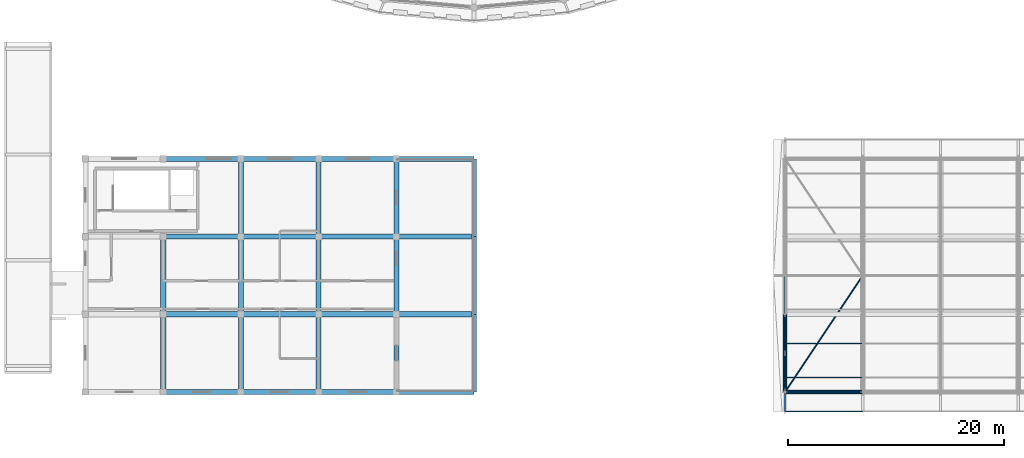
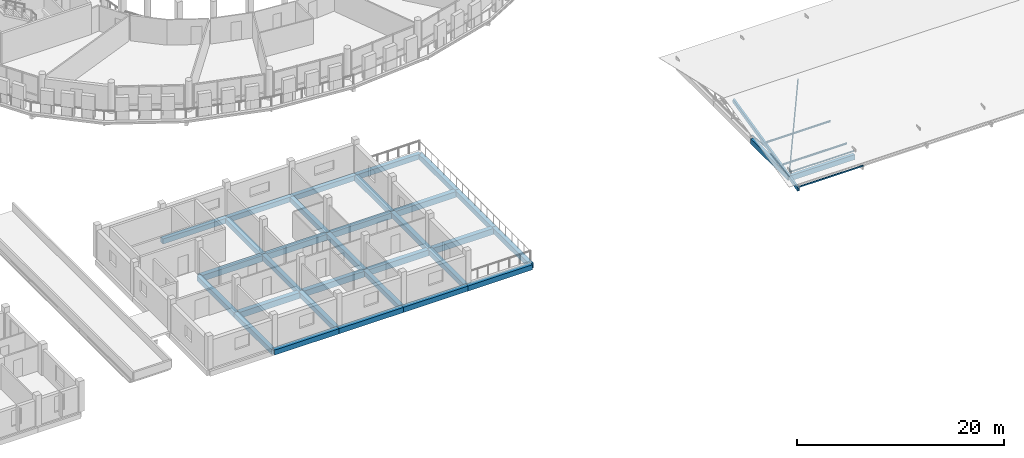
# One storey, part 16 of 93: 32 beams, 8 members.
"""IFC4 building model written with IfcOpenShell, lengths in metres."""

from ifc_helpers import new_model, si_unit, direction, frame, origin, origin_2d, place, context, subcontext, project, spatial, rectangle, hollow_rectangle, hollow_circle, i_section, extrude, material, material_profile, profile_set, type_object, element, save


model = new_model("IFC4")

# Units and contexts
model_context = context("Model", 3, precision=1e-05, world=origin(), true_north=direction((0.0, 1.0)))
body_context = subcontext(model_context, "Body", "Model", "MODEL_VIEW")
ifc_project = project(units=[si_unit("LENGTHUNIT", "METRE"), si_unit("AREAUNIT", "SQUARE_METRE"), si_unit("VOLUMEUNIT", "CUBIC_METRE"), si_unit("PLANEANGLEUNIT", "RADIAN"), si_unit("MASSUNIT", "GRAM", prefix="KILO")], contexts=[model_context])

# Site, building, storey
site_placement = place(None, origin())
site = spatial("IfcSite", under=ifc_project, at=site_placement, CompositionType="ELEMENT")
building_placement = place(site_placement, origin())
building = spatial("IfcBuilding", under=site, at=building_placement, Name="Zornivar Specialist Clinic", CompositionType="ELEMENT")
storey_placement = place(building_placement, frame((0.0, 0.0, 8.39990234375)))
storey = spatial("IfcBuildingStorey", under=building, at=storey_placement, Name="L02", CompositionType="ELEMENT", Elevation=8.39990234375)

# Beams
ifc_material_1 = material(Name="Concrete C30/37", Category="concrete")
ifc_material_profile_1 = material_profile(ifc_material_1, rectangle(XDim=0.47998046875, YDim=0.60009765625, at=origin_2d()), Name="RC 480x600")
ifc_profile_set_1 = profile_set([ifc_material_profile_1], Name="Concrete C30/37")
beam_type_1 = type_object("IfcBeamType", Name="BM-RC-480x600", PredefinedType="BEAM", material=ifc_profile_set_1)
for number, where, z_axis, x_axis, name in (
    (1, (64.800048828125, 0.0, -0.64990234375), (0.0, 1.0, 0.0), (-1.0, 0.0, 0.0), "bm:V3:L02:y:648:0"),
    (2, (64.800048828125, 7.199951171875, -0.64990234375), (0.0, 1.0, 0.0), (-1.0, 0.0, 0.0), "bm:V3:L02:y:648:1"),
    (3, (72.0, 0.0, -0.64990234375), (0.0, 1.0, 0.0), (-1.0, 0.0, 0.0), "bm:V3:L02:y:720:0"),
    (4, (72.0, 7.199951171875, -0.64990234375), (0.0, 1.0, 0.0), (-1.0, 0.0, 0.0), "bm:V3:L02:y:720:1"),
):
    element("IfcBeam", number, at=place(storey_placement, frame(where, z_axis=z_axis, x_axis=x_axis)), inside=storey, type_object=beam_type_1, Name=name, PredefinedType="BEAM", context=body_context, shape_type="SweptSolid", body=[
        extrude(rectangle(XDim=0.47998046875, YDim=0.60009765625, at=origin_2d()), origin(), (0.0, 0.0, 1.0), 7.199951171875),
    ])
beam_1_placement = place(storey_placement, frame((72.0, 14.39990234375, -0.64990234375), z_axis=(0.0, 1.0, 0.0), x_axis=(-1.0, 0.0, 0.0)))
element("IfcBeam", 5, at=beam_1_placement, inside=storey, type_object=beam_type_1, Name="bm:V3:L02:y:720:2", PredefinedType="BEAM", context=body_context, shape_type="SweptSolid", body=[
    extrude(rectangle(XDim=0.47998046875, YDim=0.60009765625, at=origin_2d()), origin(), (0.0, 0.0, 1.0), 7.2001953125),
])
for number, where, z_axis, x_axis, name in (
    (6, (79.199951171875, 0.0, -0.64990234375), (0.0, 1.0, 0.0), (-1.0, 0.0, 0.0), "bm:V3:L02:y:792:0"),
    (7, (79.199951171875, 7.199951171875, -0.64990234375), (0.0, 1.0, 0.0), (-1.0, 0.0, 0.0), "bm:V3:L02:y:792:1"),
):
    element("IfcBeam", number, at=place(storey_placement, frame(where, z_axis=z_axis, x_axis=x_axis)), inside=storey, type_object=beam_type_1, Name=name, PredefinedType="BEAM", context=body_context, shape_type="SweptSolid", body=[
        extrude(rectangle(XDim=0.47998046875, YDim=0.60009765625, at=origin_2d()), origin(), (0.0, 0.0, 1.0), 7.199951171875),
    ])
beam_2_placement = place(storey_placement, frame((79.199951171875, 14.39990234375, -0.64990234375), z_axis=(0.0, 1.0, 0.0), x_axis=(-1.0, 0.0, 0.0)))
element("IfcBeam", 8, at=beam_2_placement, inside=storey, type_object=beam_type_1, Name="bm:V3:L02:y:792:2", PredefinedType="BEAM", context=body_context, shape_type="SweptSolid", body=[
    extrude(rectangle(XDim=0.47998046875, YDim=0.60009765625, at=origin_2d()), origin(), (0.0, 0.0, 1.0), 7.2001953125),
])
for number, where, z_axis, x_axis, name in (
    (9, (86.39990234375, 0.0, -0.64990234375), (0.0, 1.0, 0.0), (-1.0, 0.0, 0.0), "bm:V3:L02:y:864:0"),
    (10, (86.39990234375, 7.199951171875, -0.64990234375), (0.0, 1.0, 0.0), (-1.0, 0.0, 0.0), "bm:V3:L02:y:864:1"),
):
    element("IfcBeam", number, at=place(storey_placement, frame(where, z_axis=z_axis, x_axis=x_axis)), inside=storey, type_object=beam_type_1, Name=name, PredefinedType="BEAM", context=body_context, shape_type="SweptSolid", body=[
        extrude(rectangle(XDim=0.47998046875, YDim=0.60009765625, at=origin_2d()), origin(), (0.0, 0.0, 1.0), 7.199951171875),
    ])
beam_3_placement = place(storey_placement, frame((86.39990234375, 14.39990234375, -0.64990234375), z_axis=(0.0, 1.0, 0.0), x_axis=(-1.0, 0.0, 0.0)))
element("IfcBeam", 11, at=beam_3_placement, inside=storey, type_object=beam_type_1, Name="bm:V3:L02:y:864:2", PredefinedType="BEAM", context=body_context, shape_type="SweptSolid", body=[
    extrude(rectangle(XDim=0.47998046875, YDim=0.60009765625, at=origin_2d()), origin(), (0.0, 0.0, 1.0), 7.2001953125),
])
ifc_material_2 = material(Name="Concrete C30/37", Category="concrete")
ifc_material_profile_2 = material_profile(ifc_material_2, rectangle(XDim=0.5, YDim=0.699951171875, at=origin_2d()), Name="RC 500x700")
ifc_profile_set_2 = profile_set([ifc_material_profile_2], Name="Concrete C30/37")
beam_type_2 = type_object("IfcBeamType", Name="BM-RC-500x700", PredefinedType="BEAM", material=ifc_profile_set_2)
for number, where, z_axis, x_axis, name in (
    (12, (64.800048828125, 7.199951171875, -0.699951171875), (1.0, 0.0, 0.0), (0.0, 1.0, 0.0), "bm:V3:L02:x:72:1"),
    (13, (72.0, 7.199951171875, -0.699951171875), (1.0, 0.0, 0.0), (0.0, 1.0, 0.0), "bm:V3:L02:x:72:2"),
    (14, (79.199951171875, 7.199951171875, -0.699951171875), (1.0, 0.0, 0.0), (0.0, 1.0, 0.0), "bm:V3:L02:x:72:3"),
):
    element("IfcBeam", number, at=place(storey_placement, frame(where, z_axis=z_axis, x_axis=x_axis)), inside=storey, type_object=beam_type_2, Name=name, PredefinedType="BEAM", context=body_context, shape_type="SweptSolid", body=[
        extrude(rectangle(XDim=0.5, YDim=0.699951171875, at=origin_2d()), origin(), (0.0, 0.0, 1.0), 7.199951171875),
    ])
beam_4_placement = place(storey_placement, frame((86.39990234375, 7.199951171875, -0.699951171875), z_axis=(1.0, 0.0, 0.0), x_axis=(0.0, 1.0, 0.0)))
element("IfcBeam", 15, at=beam_4_placement, inside=storey, type_object=beam_type_2, Name="bm:V3:L02:x:72:4", PredefinedType="BEAM", context=body_context, shape_type="SweptSolid", body=[
    extrude(rectangle(XDim=0.5, YDim=0.699951171875, at=origin_2d()), origin(), (0.0, 0.0, 1.0), 7.2001953125),
])
for number, where, z_axis, x_axis, name in (
    (16, (64.800048828125, 14.39990234375, -0.699951171875), (1.0, 0.0, 0.0), (0.0, 1.0, 0.0), "bm:V3:L02:x:144:1"),
    (17, (72.0, 14.39990234375, -0.699951171875), (1.0, 0.0, 0.0), (0.0, 1.0, 0.0), "bm:V3:L02:x:144:2"),
    (18, (79.199951171875, 14.39990234375, -0.699951171875), (1.0, 0.0, 0.0), (0.0, 1.0, 0.0), "bm:V3:L02:x:144:3"),
):
    element("IfcBeam", number, at=place(storey_placement, frame(where, z_axis=z_axis, x_axis=x_axis)), inside=storey, type_object=beam_type_2, Name=name, PredefinedType="BEAM", context=body_context, shape_type="SweptSolid", body=[
        extrude(rectangle(XDim=0.5, YDim=0.699951171875, at=origin_2d()), origin(), (0.0, 0.0, 1.0), 7.199951171875),
    ])
beam_5_placement = place(storey_placement, frame((86.39990234375, 14.39990234375, -0.699951171875), z_axis=(1.0, 0.0, 0.0), x_axis=(0.0, 1.0, 0.0)))
element("IfcBeam", 19, at=beam_5_placement, inside=storey, type_object=beam_type_2, Name="bm:V3:L02:x:144:4", PredefinedType="BEAM", context=body_context, shape_type="SweptSolid", body=[
    extrude(rectangle(XDim=0.5, YDim=0.699951171875, at=origin_2d()), origin(), (0.0, 0.0, 1.0), 7.2001953125),
])
ifc_material_3 = material(Name="Concrete C30/37", Category="concrete")
ifc_material_profile_3 = material_profile(ifc_material_3, rectangle(XDim=0.35009765625, YDim=0.60009765625, at=origin_2d()), Name="RC 350x600")
ifc_profile_set_3 = profile_set([ifc_material_profile_3], Name="Concrete C30/37")
beam_type_3 = type_object("IfcBeamType", Name="BM-RC-SPANDREL-350x600", PredefinedType="SPANDREL", material=ifc_profile_set_3)
beam_6_placement = place(storey_placement, frame((122.39990234375, 0.0, -0.2998046875), z_axis=(1.0, 0.0, 0.0), x_axis=(0.0, 1.0, 0.0)))
element("IfcBeam", 20, at=beam_6_placement, inside=storey, type_object=beam_type_3, Name="bm:V4:L02:x:0:0", PredefinedType="SPANDREL", context=body_context, shape_type="SweptSolid", body=[
    extrude(rectangle(XDim=0.35009765625, YDim=0.60009765625, at=origin_2d()), origin(), (0.0, 0.0, 1.0), 7.2001953125),
])
beam_7_placement = place(storey_placement, frame((122.39990234375, 0.0, -0.2998046875), z_axis=(0.0, 1.0, 0.0), x_axis=(-1.0, 0.0, 0.0)))
element("IfcBeam", 21, at=beam_7_placement, inside=storey, type_object=beam_type_3, Name="bm:V4:L02:y:1224:0", PredefinedType="SPANDREL", context=body_context, shape_type="SweptSolid", body=[
    extrude(rectangle(XDim=0.35009765625, YDim=0.60009765625, at=origin_2d()), origin(), (0.0, 0.0, 1.0), 7.199951171875),
])
ifc_material_4 = material(Name="Concrete C30/37", Category="concrete")
ifc_material_profile_4 = material_profile(ifc_material_4, rectangle(XDim=0.4599609375, YDim=0.60009765625, at=origin_2d()), Name="RC 460x600")
ifc_profile_set_4 = profile_set([ifc_material_profile_4], Name="Concrete C30/37")
beam_type_4 = type_object("IfcBeamType", Name="BM-RC-SPANDREL-460x600", PredefinedType="SPANDREL", material=ifc_profile_set_4)
for number, where, z_axis, x_axis, name in (
    (22, (64.800048828125, 0.0, -0.64990234375), (1.0, 0.0, 0.0), (0.0, 1.0, 0.0), "bm:V3:L02:x:0:1"),
    (23, (72.0, 0.0, -0.64990234375), (1.0, 0.0, 0.0), (0.0, 1.0, 0.0), "bm:V3:L02:x:0:2"),
    (24, (79.199951171875, 0.0, -0.64990234375), (1.0, 0.0, 0.0), (0.0, 1.0, 0.0), "bm:V3:L02:x:0:3"),
):
    element("IfcBeam", number, at=place(storey_placement, frame(where, z_axis=z_axis, x_axis=x_axis)), inside=storey, type_object=beam_type_4, Name=name, PredefinedType="SPANDREL", context=body_context, shape_type="SweptSolid", body=[
        extrude(rectangle(XDim=0.4599609375, YDim=0.60009765625, at=origin_2d()), origin(), (0.0, 0.0, 1.0), 7.199951171875),
    ])
beam_8_placement = place(storey_placement, frame((86.39990234375, 0.0, -0.64990234375), z_axis=(1.0, 0.0, 0.0), x_axis=(0.0, 1.0, 0.0)))
element("IfcBeam", 25, at=beam_8_placement, inside=storey, type_object=beam_type_4, Name="bm:V3:L02:x:0:4", PredefinedType="SPANDREL", context=body_context, shape_type="SweptSolid", body=[
    extrude(rectangle(XDim=0.4599609375, YDim=0.60009765625, at=origin_2d()), origin(), (0.0, 0.0, 1.0), 7.2001953125),
])
for number, where, z_axis, x_axis, name in (
    (26, (64.800048828125, 21.60009765625, -0.64990234375), (1.0, 0.0, 0.0), (0.0, 1.0, 0.0), "bm:V3:L02:x:216:1"),
    (27, (72.0, 21.60009765625, -0.64990234375), (1.0, 0.0, 0.0), (0.0, 1.0, 0.0), "bm:V3:L02:x:216:2"),
    (28, (79.199951171875, 21.60009765625, -0.64990234375), (1.0, 0.0, 0.0), (0.0, 1.0, 0.0), "bm:V3:L02:x:216:3"),
):
    element("IfcBeam", number, at=place(storey_placement, frame(where, z_axis=z_axis, x_axis=x_axis)), inside=storey, type_object=beam_type_4, Name=name, PredefinedType="SPANDREL", context=body_context, shape_type="SweptSolid", body=[
        extrude(rectangle(XDim=0.4599609375, YDim=0.60009765625, at=origin_2d()), origin(), (0.0, 0.0, 1.0), 7.199951171875),
    ])
beam_9_placement = place(storey_placement, frame((86.39990234375, 21.60009765625, -0.64990234375), z_axis=(1.0, 0.0, 0.0), x_axis=(0.0, 1.0, 0.0)))
element("IfcBeam", 29, at=beam_9_placement, inside=storey, type_object=beam_type_4, Name="bm:V3:L02:x:216:4", PredefinedType="SPANDREL", context=body_context, shape_type="SweptSolid", body=[
    extrude(rectangle(XDim=0.4599609375, YDim=0.60009765625, at=origin_2d()), origin(), (0.0, 0.0, 1.0), 7.2001953125),
])
for number, where, z_axis, x_axis, name in (
    (30, (93.60009765625, 0.0, -0.64990234375), (0.0, 1.0, 0.0), (-1.0, 0.0, 0.0), "bm:V3:L02:y:936:0"),
    (31, (93.60009765625, 7.199951171875, -0.64990234375), (0.0, 1.0, 0.0), (-1.0, 0.0, 0.0), "bm:V3:L02:y:936:1"),
):
    element("IfcBeam", number, at=place(storey_placement, frame(where, z_axis=z_axis, x_axis=x_axis)), inside=storey, type_object=beam_type_4, Name=name, PredefinedType="SPANDREL", context=body_context, shape_type="SweptSolid", body=[
        extrude(rectangle(XDim=0.4599609375, YDim=0.60009765625, at=origin_2d()), origin(), (0.0, 0.0, 1.0), 7.199951171875),
    ])
beam_10_placement = place(storey_placement, frame((93.60009765625, 14.39990234375, -0.64990234375), z_axis=(0.0, 1.0, 0.0), x_axis=(-1.0, 0.0, 0.0)))
element("IfcBeam", 32, at=beam_10_placement, inside=storey, type_object=beam_type_4, Name="bm:V3:L02:y:936:2", PredefinedType="SPANDREL", context=body_context, shape_type="SweptSolid", body=[
    extrude(rectangle(XDim=0.4599609375, YDim=0.60009765625, at=origin_2d()), origin(), (0.0, 0.0, 1.0), 7.2001953125),
])

# Members
ifc_material_5 = material(Name="Steel S355J2", Category="steel")
ifc_material_profile_5 = material_profile(ifc_material_5, hollow_circle(Radius=0.06982421875, WallThickness=0.008056640625, at=origin_2d()), Name="CHS 139.7x8")
ifc_profile_set_5 = profile_set([ifc_material_profile_5], Name="Steel S355J2")
member_type_1 = type_object("IfcMemberType", Name="MEM-DIAG-CHS140", PredefinedType="BRACE", material=ifc_profile_set_5)
member_1_placement = place(storey_placement, frame((122.39990234375, 7.199951171875, 0.340087890625), z_axis=(0.0, -0.996882634823, 0.0788987477), x_axis=(1.0, 0.0, 0.0)))
element("IfcMember", 33, at=member_1_placement, inside=storey, type_object=member_type_1, Name="mem:V4:L02:diag:0:S:1", PredefinedType="BRACE", context=body_context, shape_type="SweptSolid", body=[
    extrude(hollow_circle(Radius=0.06982421875, WallThickness=0.008056640625, at=origin_2d()), origin(), (0.0, 0.0, 1.0), 3.611083984375),
])
ifc_material_6 = material(Name="Steel S355J2", Category="steel")
ifc_material_profile_6 = material_profile(ifc_material_6, hollow_circle(Radius=0.06982421875, WallThickness=0.010009765625, at=origin_2d()), Name="CHS 139.7x10")
ifc_profile_set_6 = profile_set([ifc_material_profile_6], Name="Steel S355J2")
member_type_2 = type_object("IfcMemberType", Name="MEM-DIAG-CHS140H", PredefinedType="BRACE", material=ifc_profile_set_6)
member_2_placement = place(storey_placement, frame((122.39990234375, 3.60009765625, 0.340087890625), z_axis=(0.0, -0.988817004891, -0.149133935906), x_axis=(1.0, 0.0, 0.0)))
element("IfcMember", 34, at=member_2_placement, inside=storey, type_object=member_type_2, Name="mem:V4:L02:diag:0:S:2", PredefinedType="BRACE", context=body_context, shape_type="SweptSolid", body=[
    extrude(hollow_circle(Radius=0.06982421875, WallThickness=0.010009765625, at=origin_2d()), origin(), (0.0, 0.0, 1.0), 3.640869140625),
])
ifc_material_7 = material(Name="Steel S355J2", Category="steel")
ifc_material_profile_7 = material_profile(ifc_material_7, hollow_rectangle(XDim=0.080078125, YDim=0.159912109375, WallThickness=0.008056640625, at=origin_2d()), Name="RHS 160x80x8")
ifc_profile_set_7 = profile_set([ifc_material_profile_7], Name="Steel S355J2")
member_type_3 = type_object("IfcMemberType", Name="MEM-EAVE-RHS160", PredefinedType="USERDEFINED", material=ifc_profile_set_7)
member_3_placement = place(storey_placement, frame((122.39990234375, -1.800048828125, -0.305908203125), z_axis=(1.0, 0.0, 0.0), x_axis=(0.0, 1.0, 0.0)))
element("IfcMember", 35, at=member_3_placement, inside=storey, type_object=member_type_3, Name="mem:V4:L02:purl:0:00", ObjectType="EAVE RAFTER", PredefinedType="USERDEFINED", context=body_context, shape_type="SweptSolid", body=[
    extrude(hollow_rectangle(XDim=0.080078125, YDim=0.159912109375, WallThickness=0.008056640625, at=origin_2d()), origin(), (0.0, 0.0, 1.0), 7.2001953125),
])
ifc_material_8 = material(Name="Steel S355J2", Category="steel")
ifc_material_profile_8 = material_profile(ifc_material_8, i_section(OverallWidth=0.10009765625, OverallDepth=0.199951171875, WebThickness=0.005615234375, FlangeThickness=0.008544921875, FilletRadius=0.011962890625, at=origin_2d()), Name="IPE 200")
ifc_profile_set_8 = profile_set([ifc_material_profile_8], Name="Steel S355J2")
member_type_4 = type_object("IfcMemberType", Name="MEM-PURLIN-IPE200", PredefinedType="PURLIN", material=ifc_profile_set_8)
for number, where, z_axis, x_axis, name in (
    (36, (122.39990234375, 1.35009765625, 0.419189453125), (1.0, 0.0, 0.0), (0.0, 1.0, 0.0), "mem:V4:L02:purl:0:01"),
    (37, (122.39990234375, 4.5, 1.14404296875), (1.0, 0.0, 0.0), (0.0, 1.0, 0.0), "mem:V4:L02:purl:0:02"),
):
    element("IfcMember", number, at=place(storey_placement, frame(where, z_axis=z_axis, x_axis=x_axis)), inside=storey, type_object=member_type_4, Name=name, PredefinedType="PURLIN", context=body_context, shape_type="SweptSolid", body=[
        extrude(i_section(OverallWidth=0.10009765625, OverallDepth=0.199951171875, WebThickness=0.005615234375, FlangeThickness=0.008544921875, FilletRadius=0.011962890625, at=origin_2d()), origin(), (0.0, 0.0, 1.0), 7.2001953125),
    ])
ifc_material_9 = material(Name="Glulam GL28h", Category="wood")
ifc_material_profile_9 = material_profile(ifc_material_9, rectangle(XDim=0.199951171875, YDim=0.43994140625, at=origin_2d()), Name="GL28h 200x440")
ifc_profile_set_9 = profile_set([ifc_material_profile_9], Name="Glulam GL28h")
member_type_5 = type_object("IfcMemberType", Name="MEM-RAFTER-GL440", PredefinedType="RAFTER", material=ifc_profile_set_9)
member_4_placement = place(storey_placement, frame((122.39990234375, -1.800048828125, -0.617919921875), z_axis=(0.0, 0.974523416147, 0.224285780604), x_axis=(-1.0, 0.0, 0.0)))
element("IfcMember", 38, at=member_4_placement, inside=storey, type_object=member_type_5, Name="mem:V4:L02:rafS:0", PredefinedType="RAFTER", context=body_context, shape_type="SweptSolid", body=[
    extrude(rectangle(XDim=0.199951171875, YDim=0.43994140625, at=origin_2d()), origin(), (0.0, 0.0, 1.0), 12.929443359375),
])
ifc_material_10 = material(Name="Steel S355J2", Category="steel")
ifc_material_profile_10 = material_profile(ifc_material_10, hollow_circle(Radius=0.084228515625, WallThickness=0.010009765625, at=origin_2d()), Name="CHS 168.3x10")
ifc_profile_set_10 = profile_set([ifc_material_profile_10], Name="Steel S355J2")
member_type_6 = type_object("IfcMemberType", Name="MEM-STRUT-CHS168", PredefinedType="STRUT", material=ifc_profile_set_10)
member_5_placement = place(storey_placement, frame((122.39990234375, 0.0, 0.340087890625), z_axis=(1.0, 0.0, 0.0), x_axis=(0.0, 1.0, 0.0)))
element("IfcMember", 39, at=member_5_placement, inside=storey, type_object=member_type_6, Name="mem:V4:L02:ltieS:0", PredefinedType="STRUT", context=body_context, shape_type="SweptSolid", body=[
    extrude(hollow_circle(Radius=0.084228515625, WallThickness=0.010009765625, at=origin_2d()), origin(), (0.0, 0.0, 1.0), 7.2001953125),
])
ifc_material_11 = material(Name="Steel S355J2", Category="steel")
ifc_material_profile_11 = material_profile(ifc_material_11, hollow_circle(Radius=0.06982421875, WallThickness=0.008056640625, at=origin_2d()), Name="CHS 139.7x8")
ifc_profile_set_11 = profile_set([ifc_material_profile_11], Name="Steel S355J2")
member_type_7 = type_object("IfcMemberType", Name="MEM-WIND-CHS140", PredefinedType="BRACE", material=ifc_profile_set_11)
member_6_placement = place(storey_placement, frame((122.39990234375, 0.0, 0.340087890625), z_axis=(0.54860351225, 0.822886666602, 0.147958508627), x_axis=(-0.832044506972, 0.554708877176, 0.0)))
element("IfcMember", 40, at=member_6_placement, inside=storey, type_object=member_type_7, Name="mem:V4:L02:wbraceS:0", PredefinedType="BRACE", context=body_context, shape_type="SweptSolid", body=[
    extrude(hollow_circle(Radius=0.06982421875, WallThickness=0.008056640625, at=origin_2d()), origin(), (0.0, 0.0, 1.0), 13.12451171875),
])

save(model, "model.ifc")
